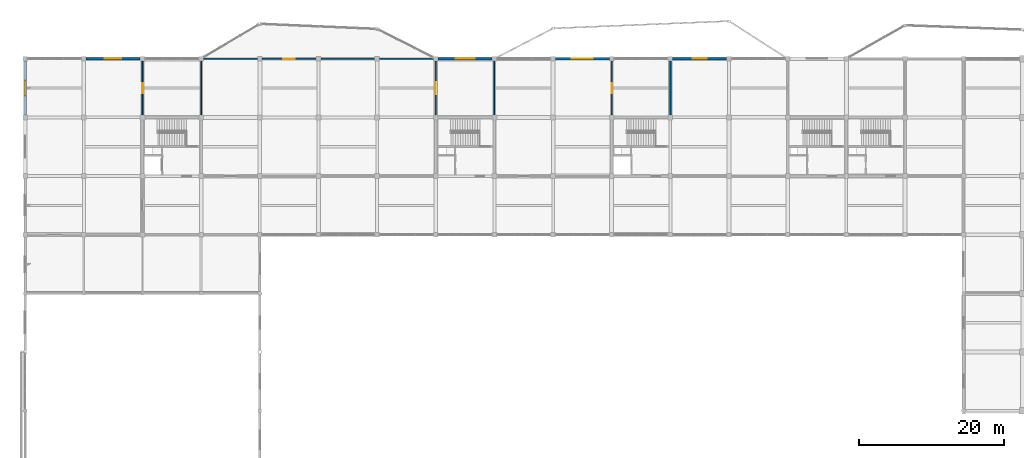
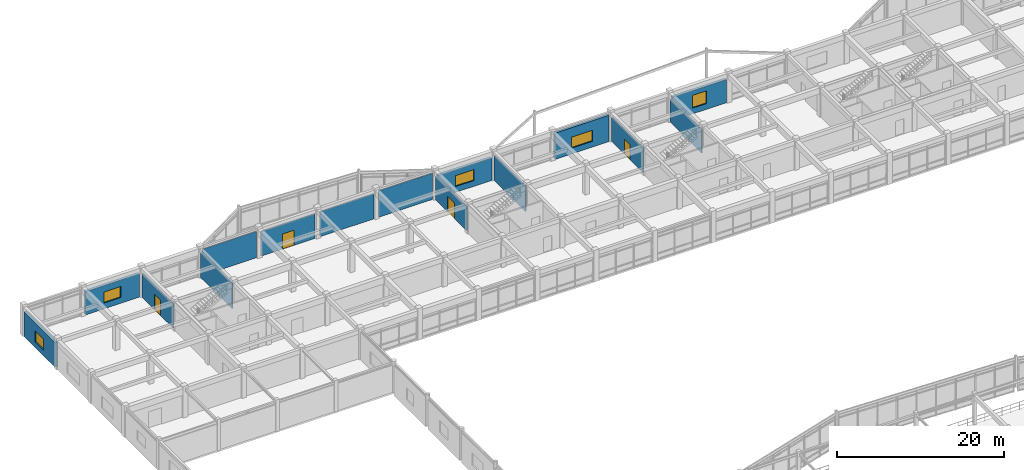
# One storey, part 73 of 93: 15 walls, 5 windows, 4 doors, 9 openings.
"""IFC4 building model written with IfcOpenShell, lengths in metres."""

from ifc_helpers import new_model, si_unit, direction, frame, frame_2d, origin, place, context, subcontext, project, spatial, rectangle, extrude, material, layer, layer_set, type_object, element, fill, save


model = new_model("IFC4")

# Units and contexts
model_context = context("Model", 3, precision=1e-05, world=origin(), true_north=direction((0.0, 1.0)))
body_context = subcontext(model_context, "Body", "Model", "MODEL_VIEW")
ifc_project = project(units=[si_unit("LENGTHUNIT", "METRE"), si_unit("AREAUNIT", "SQUARE_METRE"), si_unit("VOLUMEUNIT", "CUBIC_METRE"), si_unit("PLANEANGLEUNIT", "RADIAN"), si_unit("MASSUNIT", "GRAM", prefix="KILO")], contexts=[model_context])

# Site, building, storey
site_placement = place(None, origin())
site = spatial("IfcSite", under=ifc_project, at=site_placement, CompositionType="ELEMENT")
building_placement = place(site_placement, origin())
building = spatial("IfcBuilding", under=site, at=building_placement, Name="Vaudrelin Polytechnic", CompositionType="ELEMENT")
storey_placement = place(building_placement, frame((0.0, 0.0, 5.10009765625)))
storey = spatial("IfcBuildingStorey", under=building, at=storey_placement, Name="L01", CompositionType="ELEMENT", Elevation=5.10009765625)

# Wall, opening, window
ifc_material_1 = material(Name="Precast concrete 35 MPa with standing-seam zinc rainscreen", Category="concrete")
ifc_layer_1 = layer(ifc_material_1, 0.360107421875)
ifc_layer_set_1 = layer_set([ifc_layer_1], Name="Precast concrete 35 MPa with standing-seam zinc rainscreen")
wall_type_1 = type_object("IfcWallType", Name="WAL-EW-ZINC360", PredefinedType="STANDARD", material=ifc_layer_set_1)
wall_1_placement = place(storey_placement, frame((0.0, 113.722900390625, 0.0), z_axis=(0.0, 0.0, 1.0), x_axis=(0.0, 1.0, 0.0)))
wall_1 = element("IfcWall", 1, at=wall_1_placement, inside=storey, type_object=wall_type_1, Name="Exterior wall L01 W_V5_02", PredefinedType="STANDARD", context=body_context, shape_type="SweptSolid", body=[
    extrude(rectangle(XDim=7.4541015625, YDim=0.360107421875, at=frame_2d((3.72705078125, 0.0))), origin(), (0.0, 0.0, 1.0), 3.601806640625),
])
opening_1_placement = place(wall_1_placement, frame((2.701904296875, 0.0, 0.85009765625)))
opening_1 = element("IfcOpeningElement", 2, at=opening_1_placement, cuts=wall_1, Name="Opening W-L01-W-V5-03", PredefinedType="OPENING", context=body_context, shape_type="SweptSolid", body=[
    extrude(rectangle(XDim=2.050048828125, YDim=1.60009765625, at=frame_2d((1.02490234375, 0.800048828125))), frame((0.0, 0.18994140625, 0.0), z_axis=(0.0, -1.0, 0.0), x_axis=(1.0, 0.0, 0.0)), (0.0, 0.0, 1.0), 0.380126953125),
])
ifc_material_2 = material(Name="Thermally broken aluminium frame with triple low-e glazing", Category="aluminium")
window_type_1 = type_object("IfcWindowType", Name="WIN-WN-43", PartitioningType="SINGLE_PANEL", PredefinedType="WINDOW", material=ifc_material_2)
window_1_placement = place(opening_1_placement, origin())
window_1 = element("IfcWindow", 3, at=window_1_placement, inside=storey, type_object=window_type_1, Name="Facade window L01-W_V5_02", OverallHeight=1.60009765625, OverallWidth=2.050048828125, PartitioningType="SINGLE_PANEL", PredefinedType="WINDOW", context=body_context, shape_type="SweptSolid", body=[
    extrude(rectangle(XDim=2.050048828125, YDim=1.60009765625, at=frame_2d((1.02490234375, 0.800048828125))), frame((0.0, 0.030029296875, 0.0), z_axis=(0.0, -1.0, 0.0), x_axis=(1.0, 0.0, 0.0)), (0.0, 0.0, 1.0), 0.06005859375),
])
fill(opening_1, window_1)

wall_2_placement = place(storey_placement, frame((8.423095703125, 121.5, 0.0), z_axis=(0.0, 0.0, 1.0), x_axis=(1.0, 0.0, 0.0)))
wall_2 = element("IfcWall", 4, at=wall_2_placement, inside=storey, type_object=wall_type_1, Name="Exterior wall L01 N_V5_01", PredefinedType="STANDARD", context=body_context, shape_type="SweptSolid", body=[
    extrude(rectangle(XDim=7.453857421875, YDim=0.360107421875, at=frame_2d((3.72705078125, 0.0))), origin(), (0.0, 0.0, 1.0), 3.40185546875),
])
opening_2_placement = place(wall_2_placement, frame((2.576904296875, 0.0, 0.85009765625)))
opening_2 = element("IfcOpeningElement", 5, at=opening_2_placement, cuts=wall_2, Name="Opening W-L01-N-V5-02", PredefinedType="OPENING", context=body_context, shape_type="SweptSolid", body=[
    extrude(rectangle(XDim=2.300048828125, YDim=1.60009765625, at=frame_2d((1.14990234375, 0.800048828125))), frame((0.0, 0.18994140625, 0.0), z_axis=(0.0, -1.0, 0.0), x_axis=(1.0, 0.0, 0.0)), (0.0, 0.0, 1.0), 0.380126953125),
])
window_type_2 = type_object("IfcWindowType", Name="WIN-WN-44", PartitioningType="SINGLE_PANEL", PredefinedType="WINDOW", material=ifc_material_2)
window_2_placement = place(opening_2_placement, origin())
window_2 = element("IfcWindow", 6, at=window_2_placement, inside=storey, type_object=window_type_2, Name="Facade window L01-N_V5_01", OverallHeight=1.60009765625, OverallWidth=2.300048828125, PartitioningType="SINGLE_PANEL", PredefinedType="WINDOW", context=body_context, shape_type="SweptSolid", body=[
    extrude(rectangle(XDim=2.300048828125, YDim=1.60009765625, at=frame_2d((1.14990234375, 0.800048828125))), frame((0.0, 0.030029296875, 0.0), z_axis=(0.0, -1.0, 0.0), x_axis=(1.0, 0.0, 0.0)), (0.0, 0.0, 1.0), 0.06005859375),
])
fill(opening_2, window_2)

wall_3_placement = place(storey_placement, frame((57.02294921875, 121.5, 0.0), z_axis=(0.0, 0.0, 1.0), x_axis=(1.0, 0.0, 0.0)))
wall_3 = element("IfcWall", 7, at=wall_3_placement, inside=storey, type_object=wall_type_1, Name="Exterior wall L01 N_V5_07", PredefinedType="STANDARD", context=body_context, shape_type="SweptSolid", body=[
    extrude(rectangle(XDim=7.4541015625, YDim=0.360107421875, at=frame_2d((3.72705078125, 0.0))), origin(), (0.0, 0.0, 1.0), 3.302001953125),
])
opening_3_placement = place(wall_3_placement, frame((2.427001953125, 0.0, 0.85009765625)))
opening_3 = element("IfcOpeningElement", 8, at=opening_3_placement, cuts=wall_3, Name="Opening W-L01-N-V5-08", PredefinedType="OPENING", context=body_context, shape_type="SweptSolid", body=[
    extrude(rectangle(XDim=2.60009765625, YDim=1.60009765625, at=frame_2d((1.300048828125, 0.800048828125))), frame((0.0, 0.18994140625, 0.0), z_axis=(0.0, -1.0, 0.0), x_axis=(1.0, 0.0, 0.0)), (0.0, 0.0, 1.0), 0.380126953125),
])
window_type_3 = type_object("IfcWindowType", Name="WIN-WN-45", PartitioningType="SINGLE_PANEL", PredefinedType="WINDOW", material=ifc_material_2)
window_3_placement = place(opening_3_placement, origin())
window_3 = element("IfcWindow", 9, at=window_3_placement, inside=storey, type_object=window_type_3, Name="Facade window L01-N_V5_07", OverallHeight=1.60009765625, OverallWidth=2.60009765625, PartitioningType="SINGLE_PANEL", PredefinedType="WINDOW", context=body_context, shape_type="SweptSolid", body=[
    extrude(rectangle(XDim=2.60009765625, YDim=1.60009765625, at=frame_2d((1.300048828125, 0.800048828125))), frame((0.0, 0.030029296875, 0.0), z_axis=(0.0, -1.0, 0.0), x_axis=(1.0, 0.0, 0.0)), (0.0, 0.0, 1.0), 0.06005859375),
])
fill(opening_3, window_3)

wall_4_placement = place(storey_placement, frame((73.222900390625, 121.5, 0.0), z_axis=(0.0, 0.0, 1.0), x_axis=(1.0, 0.0, 0.0)))
wall_4 = element("IfcWall", 10, at=wall_4_placement, inside=storey, type_object=wall_type_1, Name="Exterior wall L01 N_V5_09", PredefinedType="STANDARD", context=body_context, shape_type="SweptSolid", body=[
    extrude(rectangle(XDim=7.4541015625, YDim=0.360107421875, at=frame_2d((3.72705078125, 0.0))), origin(), (0.0, 0.0, 1.0), 3.8369140625),
])
opening_4_placement = place(wall_4_placement, frame((2.277099609375, 0.0, 0.85009765625)))
opening_4 = element("IfcOpeningElement", 11, at=opening_4_placement, cuts=wall_4, Name="Opening W-L01-N-V5-10", PredefinedType="OPENING", context=body_context, shape_type="SweptSolid", body=[
    extrude(rectangle(XDim=2.89990234375, YDim=1.60009765625, at=frame_2d((1.449951171875, 0.800048828125))), frame((0.0, 0.18994140625, 0.0), z_axis=(0.0, -1.0, 0.0), x_axis=(1.0, 0.0, 0.0)), (0.0, 0.0, 1.0), 0.380126953125),
])
window_type_4 = type_object("IfcWindowType", Name="WIN-WN-46", PartitioningType="SINGLE_PANEL", PredefinedType="WINDOW", material=ifc_material_2)
window_4_placement = place(opening_4_placement, origin())
window_4 = element("IfcWindow", 12, at=window_4_placement, inside=storey, type_object=window_type_4, Name="Facade window L01-N_V5_09", OverallHeight=1.60009765625, OverallWidth=2.89990234375, PartitioningType="SINGLE_PANEL", PredefinedType="WINDOW", context=body_context, shape_type="SweptSolid", body=[
    extrude(rectangle(XDim=2.89990234375, YDim=1.60009765625, at=frame_2d((1.449951171875, 0.800048828125))), frame((0.0, 0.030029296875, 0.0), z_axis=(0.0, -1.0, 0.0), x_axis=(1.0, 0.0, 0.0)), (0.0, 0.0, 1.0), 0.06005859375),
])
fill(opening_4, window_4)

wall_5_placement = place(storey_placement, frame((89.423095703125, 121.5, 0.0), z_axis=(0.0, 0.0, 1.0), x_axis=(1.0, 0.0, 0.0)))
wall_5 = element("IfcWall", 13, at=wall_5_placement, inside=storey, type_object=wall_type_1, Name="Exterior wall L01 N_V5_11", PredefinedType="STANDARD", context=body_context, shape_type="SweptSolid", body=[
    extrude(rectangle(XDim=7.453857421875, YDim=0.360107421875, at=frame_2d((3.72705078125, 0.0))), origin(), (0.0, 0.0, 1.0), 3.40185546875),
])
opening_5_placement = place(wall_5_placement, frame((2.777099609375, 0.0, 0.85009765625)))
opening_5 = element("IfcOpeningElement", 14, at=opening_5_placement, cuts=wall_5, Name="Opening W-L01-N-V5-12", PredefinedType="OPENING", context=body_context, shape_type="SweptSolid", body=[
    extrude(rectangle(XDim=1.89990234375, YDim=1.85009765625, at=frame_2d((0.949951171875, 0.925048828125))), frame((0.0, 0.18994140625, 0.0), z_axis=(0.0, -1.0, 0.0), x_axis=(1.0, 0.0, 0.0)), (0.0, 0.0, 1.0), 0.380126953125),
])
window_type_5 = type_object("IfcWindowType", Name="WIN-WN-47", PartitioningType="SINGLE_PANEL", PredefinedType="WINDOW", material=ifc_material_2)
window_5_placement = place(opening_5_placement, origin())
window_5 = element("IfcWindow", 15, at=window_5_placement, inside=storey, type_object=window_type_5, Name="Facade window L01-N_V5_11", OverallHeight=1.85009765625, OverallWidth=1.89990234375, PartitioningType="SINGLE_PANEL", PredefinedType="WINDOW", context=body_context, shape_type="SweptSolid", body=[
    extrude(rectangle(XDim=1.89990234375, YDim=1.85009765625, at=frame_2d((0.949951171875, 0.925048828125))), frame((0.0, 0.030029296875, 0.0), z_axis=(0.0, -1.0, 0.0), x_axis=(1.0, 0.0, 0.0)), (0.0, 0.0, 1.0), 0.06005859375),
])
fill(opening_5, window_5)

# Wall
ifc_material_3 = material(Name="Acoustic double-stud gypsum & mineral-wool partition", Category="gypsum")
ifc_layer_2 = layer(ifc_material_3, 0.179931640625)
ifc_layer_set_2 = layer_set([ifc_layer_2], Name="Acoustic double-stud gypsum & mineral-wool partition")
wall_type_2 = type_object("IfcWallType", Name="WAL-PW-AC180", PredefinedType="PARTITIONING", material=ifc_layer_set_2)
wall_6_placement = place(storey_placement, frame((89.10009765625, 113.722900390625, 0.0), z_axis=(0.0, 0.0, 1.0), x_axis=(0.0, 1.0, 0.0)))
element("IfcWall", 16, at=wall_6_placement, inside=storey, type_object=wall_type_2, Name="Partition L01-019 W", PredefinedType="PARTITIONING", context=body_context, shape_type="SweptSolid", body=[
    extrude(rectangle(XDim=7.4541015625, YDim=0.179931640625, at=frame_2d((3.72705078125, 0.0))), origin(), (0.0, 0.0, 1.0), 3.40185546875),
])

# Wall, opening, door
ifc_material_4 = material(Name="Pin-up plywood & acoustic gypsum studio partition", Category="wood")
ifc_layer_3 = layer(ifc_material_4, 0.14990234375)
ifc_layer_set_3 = layer_set([ifc_layer_3], Name="Pin-up plywood & acoustic gypsum studio partition")
wall_type_3 = type_object("IfcWallType", Name="WAL-PW-STU150", PredefinedType="PARTITIONING", material=ifc_layer_set_3)
wall_7_placement = place(storey_placement, frame((16.199951171875, 113.722900390625, 0.0), z_axis=(0.0, 0.0, 1.0), x_axis=(0.0, 1.0, 0.0)))
wall_7 = element("IfcWall", 17, at=wall_7_placement, inside=storey, type_object=wall_type_3, Name="Partition L01-015 E", PredefinedType="PARTITIONING", context=body_context, shape_type="SweptSolid", body=[
    extrude(rectangle(XDim=7.4541015625, YDim=0.14990234375, at=frame_2d((3.72705078125, 0.0))), origin(), (0.0, 0.0, 1.0), 3.501953125),
])
opening_6_placement = place(wall_7_placement, frame((3.027099609375, 0.0, 0.0)))
opening_6 = element("IfcOpeningElement", 18, at=opening_6_placement, cuts=wall_7, Name="Opening D-L01-467", PredefinedType="OPENING", context=body_context, shape_type="SweptSolid", body=[
    extrude(rectangle(XDim=1.39990234375, YDim=2.199951171875, at=frame_2d((0.699951171875, 1.10009765625))), frame((0.0, 0.0849609375, 0.0), z_axis=(0.0, -1.0, 0.0), x_axis=(1.0, 0.0, 0.0)), (0.0, 0.0, 1.0), 0.169921875),
])
ifc_material_5 = material(Name="Solid-core birch veneer acoustic leaf", Category="wood")
door_type_1 = type_object("IfcDoorType", Name="DOR-ID-STU1", OperationType="NOTDEFINED", PredefinedType="DOOR", material=ifc_material_5)
door_1_placement = place(opening_6_placement, origin())
door_1 = element("IfcDoor", 19, at=door_1_placement, inside=storey, type_object=door_type_1, Name="Foundation Studio Pin-Up Alcove door L01-034", OperationType="DOUBLE_SWING_LEFT", OverallHeight=2.199951171875, OverallWidth=1.39990234375, PredefinedType="DOOR", context=body_context, shape_type="SweptSolid", body=[
    extrude(rectangle(XDim=1.39990234375, YDim=2.199951171875, at=frame_2d((0.699951171875, 1.10009765625))), frame((0.0, 0.02490234375, 0.0), z_axis=(0.0, -1.0, 0.0), x_axis=(1.0, 0.0, 0.0)), (0.0, 0.0, 1.0), 0.050048828125),
])
fill(opening_6, door_1)

wall_8_placement = place(storey_placement, frame((56.699951171875, 113.722900390625, 0.0), z_axis=(0.0, 0.0, 1.0), x_axis=(0.0, 1.0, 0.0)))
wall_8 = element("IfcWall", 20, at=wall_8_placement, inside=storey, type_object=wall_type_3, Name="Partition L01-016 E", PredefinedType="PARTITIONING", context=body_context, shape_type="SweptSolid", body=[
    extrude(rectangle(XDim=7.4541015625, YDim=0.14990234375, at=frame_2d((3.72705078125, 0.0))), origin(), (0.0, 0.0, 1.0), 3.501953125),
])
opening_7_placement = place(wall_8_placement, frame((2.906982421875, 0.0, 0.0)))
opening_7 = element("IfcOpeningElement", 21, at=opening_7_placement, cuts=wall_8, Name="Opening D-L01-468", PredefinedType="OPENING", context=body_context, shape_type="SweptSolid", body=[
    extrude(rectangle(XDim=1.639892578125, YDim=2.25, at=frame_2d((0.81982421875, 1.125))), frame((0.0, 0.0849609375, 0.0), z_axis=(0.0, -1.0, 0.0), x_axis=(1.0, 0.0, 0.0)), (0.0, 0.0, 1.0), 0.169921875),
])
door_type_2 = type_object("IfcDoorType", Name="DOR-ID-STU2", OperationType="NOTDEFINED", PredefinedType="DOOR", material=ifc_material_5)
door_2_placement = place(opening_7_placement, origin())
door_2 = element("IfcDoor", 22, at=door_2_placement, inside=storey, type_object=door_type_2, Name="Parametric Plotter Alcove door L01-035", OperationType="DOUBLE_SWING_LEFT", OverallHeight=2.25, OverallWidth=1.639892578125, PredefinedType="DOOR", context=body_context, shape_type="SweptSolid", body=[
    extrude(rectangle(XDim=1.639892578125, YDim=2.25, at=frame_2d((0.81982421875, 1.125))), frame((0.0, 0.02490234375, 0.0), z_axis=(0.0, -1.0, 0.0), x_axis=(1.0, 0.0, 0.0)), (0.0, 0.0, 1.0), 0.050048828125),
])
fill(opening_7, door_2)

# Walls
wall_9_placement = place(storey_placement, frame((24.300048828125, 113.722900390625, 0.0), z_axis=(0.0, 0.0, 1.0), x_axis=(0.0, 1.0, 0.0)))
element("IfcWall", 23, at=wall_9_placement, inside=storey, type_object=wall_type_3, Name="Partition L01-016 W", PredefinedType="PARTITIONING", context=body_context, shape_type="SweptSolid", body=[
    extrude(rectangle(XDim=7.4541015625, YDim=0.14990234375, at=frame_2d((3.72705078125, 0.0))), origin(), (0.0, 0.0, 1.0), 3.65185546875),
])
wall_10_placement = place(storey_placement, frame((24.623046875, 121.5, 0.0), z_axis=(0.0, 0.0, 1.0), x_axis=(1.0, 0.0, 0.0)))
element("IfcWall", 24, at=wall_10_placement, inside=storey, type_object=wall_type_3, Name="Partition L01-016 N", PredefinedType="PARTITIONING", context=body_context, shape_type="SweptSolid", body=[
    extrude(rectangle(XDim=7.453857421875, YDim=0.14990234375, at=frame_2d((3.72705078125, 0.0))), origin(), (0.0, 0.0, 1.0), 3.8369140625),
])

# Wall, opening, door
wall_11_placement = place(storey_placement, frame((32.722900390625, 121.5, 0.0), z_axis=(0.0, 0.0, 1.0), x_axis=(1.0, 0.0, 0.0)))
wall_11 = element("IfcWall", 25, at=wall_11_placement, inside=storey, type_object=wall_type_3, Name="Partition L01-016 N", PredefinedType="PARTITIONING", context=body_context, shape_type="SweptSolid", body=[
    extrude(rectangle(XDim=7.4541015625, YDim=0.14990234375, at=frame_2d((3.72705078125, 0.0))), origin(), (0.0, 0.0, 1.0), 3.601806640625),
])
opening_8_placement = place(wall_11_placement, frame((2.927001953125, 0.0, 0.0)))
opening_8 = element("IfcOpeningElement", 26, at=opening_8_placement, cuts=wall_11, Name="Opening D-L01-601", PredefinedType="OPENING", context=body_context, shape_type="SweptSolid", body=[
    extrude(rectangle(XDim=1.60009765625, YDim=2.199951171875, at=frame_2d((0.800048828125, 1.10009765625))), frame((0.0, 0.0849609375, 0.0), z_axis=(0.0, -1.0, 0.0), x_axis=(1.0, 0.0, 0.0)), (0.0, 0.0, 1.0), 0.169921875),
])
door_type_3 = type_object("IfcDoorType", Name="DOR-ID-GLZ1", OperationType="NOTDEFINED", PredefinedType="DOOR", material=ifc_material_5)
door_3_placement = place(opening_8_placement, origin())
door_3 = element("IfcDoor", 27, at=door_3_placement, inside=storey, type_object=door_type_3, Name="North parametric pod N1 door L01", OperationType="DOUBLE_SWING_LEFT", OverallHeight=2.199951171875, OverallWidth=1.60009765625, PredefinedType="DOOR", context=body_context, shape_type="SweptSolid", body=[
    extrude(rectangle(XDim=1.60009765625, YDim=2.199951171875, at=frame_2d((0.800048828125, 1.10009765625))), frame((0.0, 0.02490234375, 0.0), z_axis=(0.0, -1.0, 0.0), x_axis=(1.0, 0.0, 0.0)), (0.0, 0.0, 1.0), 0.050048828125),
])
fill(opening_8, door_3)

# Walls
wall_12_placement = place(storey_placement, frame((40.822998046875, 121.5, 0.0), z_axis=(0.0, 0.0, 1.0), x_axis=(1.0, 0.0, 0.0)))
element("IfcWall", 28, at=wall_12_placement, inside=storey, type_object=wall_type_3, Name="Partition L01-016 N", PredefinedType="PARTITIONING", context=body_context, shape_type="SweptSolid", body=[
    extrude(rectangle(XDim=7.4541015625, YDim=0.14990234375, at=frame_2d((3.72705078125, 0.0))), origin(), (0.0, 0.0, 1.0), 3.65185546875),
])
wall_13_placement = place(storey_placement, frame((48.923095703125, 121.5, 0.0), z_axis=(0.0, 0.0, 1.0), x_axis=(1.0, 0.0, 0.0)))
element("IfcWall", 29, at=wall_13_placement, inside=storey, type_object=wall_type_3, Name="Partition L01-016 N", PredefinedType="PARTITIONING", context=body_context, shape_type="SweptSolid", body=[
    extrude(rectangle(XDim=7.453857421875, YDim=0.14990234375, at=frame_2d((3.72705078125, 0.0))), origin(), (0.0, 0.0, 1.0), 3.8369140625),
])

# Wall, opening, door
wall_14_placement = place(storey_placement, frame((81.0, 113.722900390625, 0.0), z_axis=(0.0, 0.0, 1.0), x_axis=(0.0, 1.0, 0.0)))
wall_14 = element("IfcWall", 30, at=wall_14_placement, inside=storey, type_object=wall_type_3, Name="Partition L01-018 E", PredefinedType="PARTITIONING", context=body_context, shape_type="SweptSolid", body=[
    extrude(rectangle(XDim=7.4541015625, YDim=0.14990234375, at=frame_2d((3.72705078125, 0.0))), origin(), (0.0, 0.0, 1.0), 3.601806640625),
])
opening_9_placement = place(wall_14_placement, frame((3.027099609375, 0.0, 0.0)))
opening_9 = element("IfcOpeningElement", 31, at=opening_9_placement, cuts=wall_14, Name="Opening D-L01-469", PredefinedType="OPENING", context=body_context, shape_type="SweptSolid", body=[
    extrude(rectangle(XDim=1.39990234375, YDim=2.199951171875, at=frame_2d((0.699951171875, 1.10009765625))), frame((0.0, 0.0849609375, 0.0), z_axis=(0.0, -1.0, 0.0), x_axis=(1.0, 0.0, 0.0)), (0.0, 0.0, 1.0), 0.169921875),
])
door_4_placement = place(opening_9_placement, origin())
door_4 = element("IfcDoor", 32, at=door_4_placement, inside=storey, type_object=door_type_1, Name="Mechatronics Sensor Alcove door L01-036", OperationType="DOUBLE_SWING_LEFT", OverallHeight=2.199951171875, OverallWidth=1.39990234375, PredefinedType="DOOR", context=body_context, shape_type="SweptSolid", body=[
    extrude(rectangle(XDim=1.39990234375, YDim=2.199951171875, at=frame_2d((0.699951171875, 1.10009765625))), frame((0.0, 0.02490234375, 0.0), z_axis=(0.0, -1.0, 0.0), x_axis=(1.0, 0.0, 0.0)), (0.0, 0.0, 1.0), 0.050048828125),
])
fill(opening_9, door_4)

# Wall
wall_15_placement = place(storey_placement, frame((64.800048828125, 113.722900390625, 0.0), z_axis=(0.0, 0.0, 1.0), x_axis=(0.0, 1.0, 0.0)))
element("IfcWall", 33, at=wall_15_placement, inside=storey, type_object=wall_type_3, Name="Partition L01-018 W", PredefinedType="PARTITIONING", context=body_context, shape_type="SweptSolid", body=[
    extrude(rectangle(XDim=7.4541015625, YDim=0.14990234375, at=frame_2d((3.72705078125, 0.0))), origin(), (0.0, 0.0, 1.0), 3.65185546875),
])

save(model, "model.ifc")
